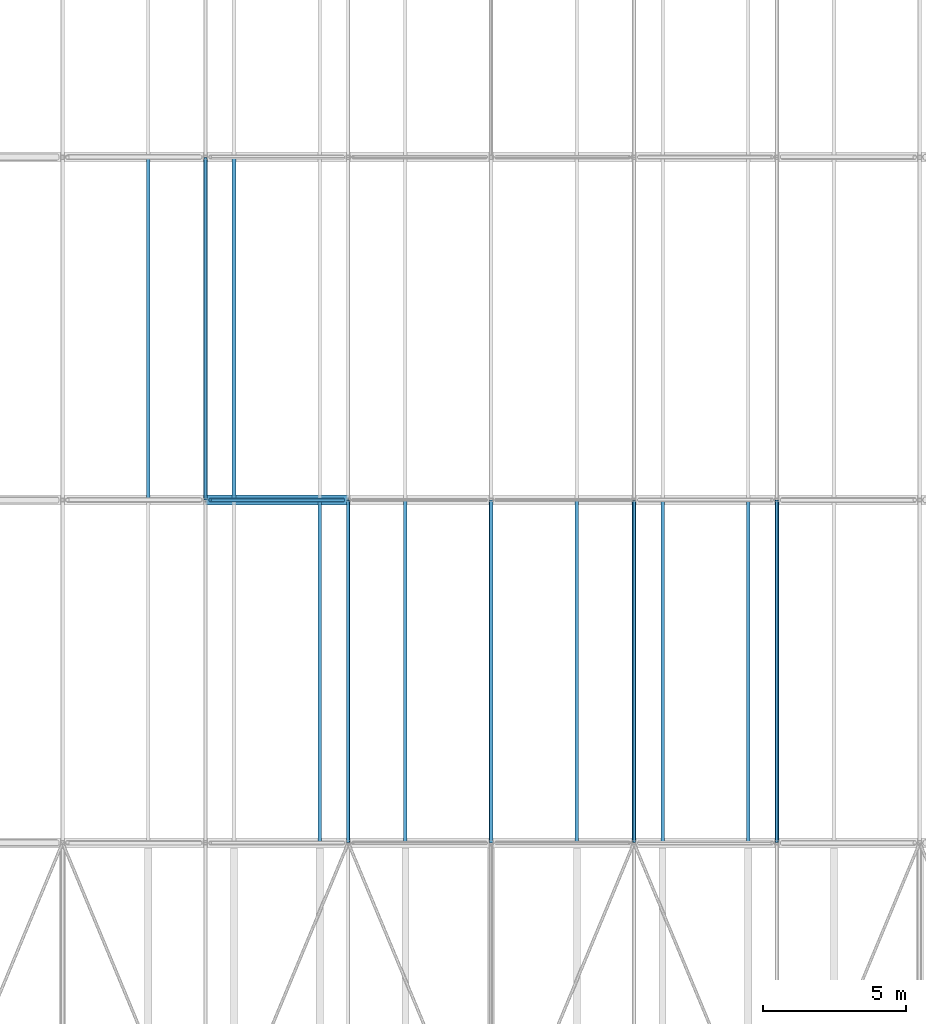
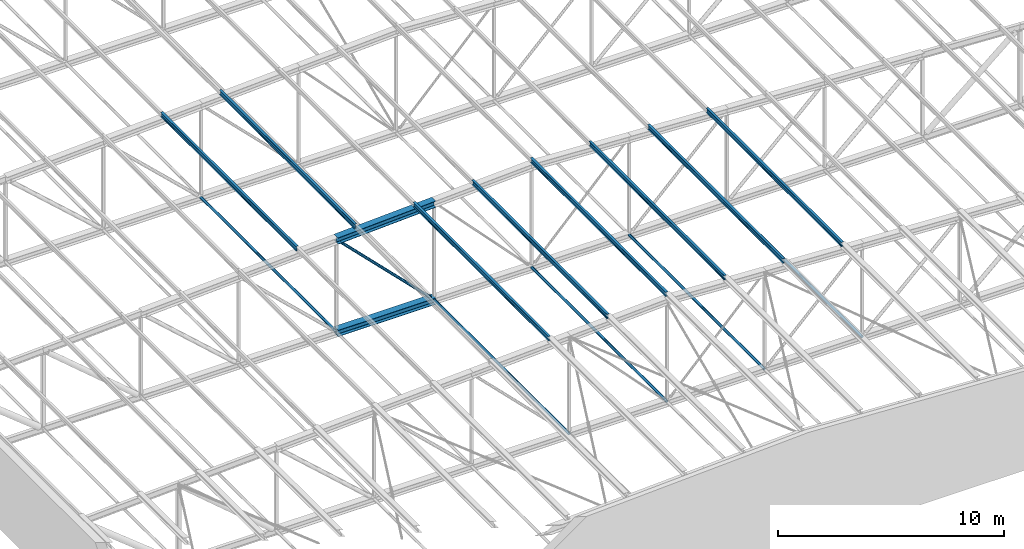
# One storey, part 21 of 156: 16 members.
"""IFC4 building model written with IfcOpenShell, lengths in metres."""

import ifcopenshell
import ifcopenshell.guid

model = None  # the IFC model being written
_history = None  # IfcOwnerHistory: only IFC2X3 demands one
_inside = {}  # id of a spatial element -> (the spatial element, [elements in it])
_under = {}  # id of a project, library or spatial element -> (it, [spatial elements below it])
_declared = {}  # id of a project -> (the project, [libraries it declares])
_typed = {}  # id of a type object -> (the type object, [elements of that type])
_made_of = {}  # id of a material, layer set ... -> (it, [elements and type objects made of it])


def new_model(schema):
    """Start an empty IFC model of exactly this schema.

    Asked for "IFC4X3", IfcOpenShell would pick the latest addendum, in which some entities
    have other attributes; the version numbers below select the first issue.
    IFC2X3 requires an IfcOwnerHistory on every rooted entity: one is made here for all.
    """
    global model, _history
    if schema == "IFC4X3":
        model = ifcopenshell.file(schema_version=(4, 3, 0, 0))
    else:
        model = ifcopenshell.file(schema=schema)
    _inside.clear()
    _under.clear()
    _declared.clear()
    _typed.clear()
    _made_of.clear()
    _history = None
    if model.schema == "IFC2X3":
        org = make("IfcOrganization", Name="unknown")
        user = make(
            "IfcPersonAndOrganization",
            ThePerson=make("IfcPerson", FamilyName="unknown"),
            TheOrganization=org,
        )
        app = make(
            "IfcApplication",
            ApplicationDeveloper=org,
            Version="unknown",
            ApplicationFullName="unknown",
            ApplicationIdentifier="unknown",
        )
        _history = make(
            "IfcOwnerHistory",
            OwningUser=user,
            OwningApplication=app,
            ChangeAction="ADDED",
            CreationDate=0,
        )
    return model


def make(cls, **values):
    """One entity of the class cls with the attributes given. An attribute that is None is left unset."""
    return model.create_entity(
        cls, **{name: value for name, value in values.items() if value is not None}
    )


def rooted(cls, **values):
    """An entity with a GlobalId (a new one), such as an element, a storey or a relation."""
    return make(cls, GlobalId=ifcopenshell.guid.new(), OwnerHistory=_history, **values)


def si_unit(unit_type, name, prefix=None):
    """IfcSIUnit, for example si_unit("LENGTHUNIT", "METRE", prefix="MILLI")."""
    return make("IfcSIUnit", UnitType=unit_type, Prefix=prefix, Name=name)


def assignment(units):
    """IfcUnitAssignment: the units of a project."""
    return None if units is None else make("IfcUnitAssignment", Units=units)


def point(xyz):
    """IfcCartesianPoint."""
    return None if xyz is None else make("IfcCartesianPoint", Coordinates=xyz)


def direction(xyz):
    """IfcDirection."""
    return None if xyz is None else make("IfcDirection", DirectionRatios=xyz)


def frame(location, z_axis=None, x_axis=None):
    """IfcAxis2Placement3D, a coordinate frame: its origin and axes. An axis left out is left unset."""
    return make(
        "IfcAxis2Placement3D",
        Location=point(location),
        Axis=direction(z_axis),
        RefDirection=direction(x_axis),
    )


def frame_2d(location, x_axis=None):
    """IfcAxis2Placement2D, a coordinate frame in the plane: its origin and x axis."""
    return make(
        "IfcAxis2Placement2D", Location=point(location), RefDirection=direction(x_axis)
    )


def origin():
    """The frame at (0, 0, 0) with its axes left unset."""
    return frame((0.0, 0.0, 0.0))


def origin_2d():
    """The frame at (0, 0) in the plane with its x axis left unset."""
    return frame_2d((0.0, 0.0))


def place(relative_to, where):
    """IfcLocalPlacement: puts the frame where relative to a parent placement (None: the world)."""
    return make(
        "IfcLocalPlacement", PlacementRelTo=relative_to, RelativePlacement=where
    )


def context(
    kind, dimensions, precision=None, world=None, true_north=None, identifier=None
):
    """IfcGeometricRepresentationContext, for example the 3D "Model" context."""
    return make(
        "IfcGeometricRepresentationContext",
        ContextIdentifier=identifier,
        ContextType=kind,
        CoordinateSpaceDimension=dimensions,
        Precision=precision,
        WorldCoordinateSystem=world,
        TrueNorth=true_north,
    )


def subcontext(parent, identifier, kind, view, scale=None):
    """IfcGeometricRepresentationSubContext, for example "Body" below "Model"."""
    return make(
        "IfcGeometricRepresentationSubContext",
        ContextIdentifier=identifier,
        ContextType=kind,
        ParentContext=parent,
        TargetScale=scale,
        TargetView=view,
    )


def project(units=None, contexts=None):
    """IfcProject with its units and contexts."""
    return rooted(
        "IfcProject",
        Name="project",
        RepresentationContexts=contexts,
        UnitsInContext=assignment(units),
    )


def spatial(cls, under=None, at=None, **own):
    """A site, building, storey or space (cls), placed at a placement, below another one or the project."""
    s = rooted(cls, ObjectPlacement=at, **own)
    if under is not None:
        _under.setdefault(under.id(), (under, []))[1].append(s)
    return s


def profile(cls, at=None, kind="AREA", **sizes):
    """A parametric profile (cls). Its sizes go by their IFC names, for example OverallWidth=200.0."""
    return make(cls, ProfileType=kind, Position=at, **sizes)


def hollow_circle(**sizes):
    """IfcCircleHollowProfileDef."""
    return profile("IfcCircleHollowProfileDef", **sizes)


def i_section(**sizes):
    """IfcIShapeProfileDef."""
    return profile("IfcIShapeProfileDef", **sizes)


def extrude(swept, where, along, depth):
    """IfcExtrudedAreaSolid: the profile swept, set in the frame where, extruded along a direction by depth."""
    return make(
        "IfcExtrudedAreaSolid",
        SweptArea=swept,
        Position=where,
        ExtrudedDirection=direction(along),
        Depth=depth,
    )


def shape(context_of_items, identifier, shape_type, items):
    """IfcShapeRepresentation: the items that make up one representation, for example the "Body"."""
    return make(
        "IfcShapeRepresentation",
        ContextOfItems=context_of_items,
        RepresentationIdentifier=identifier,
        RepresentationType=shape_type,
        Items=items,
    )


def material(Name=None, Category=None):
    """IfcMaterial."""
    return make("IfcMaterial", Name=Name, Category=Category)


def material_profile(
    of_material, cross_section, Name=None, Category=None, Priority=None
):
    """IfcMaterialProfile: a cross section and its material."""
    return make(
        "IfcMaterialProfile",
        Name=Name,
        Material=of_material,
        Profile=cross_section,
        Priority=Priority,
        Category=Category,
    )


def profile_set(profiles, Name=None, composite=None):
    """IfcMaterialProfileSet."""
    return make(
        "IfcMaterialProfileSet",
        Name=Name,
        MaterialProfiles=profiles,
        CompositeProfile=composite,
    )


def made_of(thing, what):
    """Note that an element or type object is made of a material, layer set ...; save() writes the relation."""
    if what is not None:
        _made_of.setdefault(what.id(), (what, []))[1].append(thing)
    return thing


def type_object(cls, material=None, **own):
    """A type object (cls), such as IfcWallType, which elements share."""
    return made_of(rooted(cls, **own), material)


def element(
    cls,
    number,
    at=None,
    inside=None,
    cuts=None,
    type_object=None,
    material=None,
    context=None,
    identifier="Body",
    shape_type=None,
    held_by="IfcProductDefinitionShape",
    body=None,
    shapes=None,
    **own,
):
    """One element of the class cls, such as IfcWall. Its Tag is "e" and its number.

    at: its placement. inside: the storey or other place that contains it. cuts: it is an
    opening in that element (IfcRelVoidsElement). A single representation is given by context,
    identifier, shape_type and body (its items); several are given by shapes. held_by: the class
    of the entity that holds the representations. save() writes the other relations.
    """
    e = rooted(cls, Tag="e%d" % number, ObjectPlacement=at, **own)
    if body is not None:
        shapes = [shape(context, identifier, shape_type, body)]
    if shapes is not None:
        e.Representation = make(held_by, Representations=shapes)
    if inside is not None:
        _inside.setdefault(inside.id(), (inside, []))[1].append(e)
    if cuts is not None:
        rooted(
            "IfcRelVoidsElement", RelatingBuildingElement=cuts, RelatedOpeningElement=e
        )
    if type_object is not None:
        _typed.setdefault(type_object.id(), (type_object, []))[1].append(e)
    return made_of(e, material)


def aggregate(whole, parts):
    """IfcRelAggregates: a whole, such as a stair, and the parts it consists of."""
    return rooted("IfcRelAggregates", RelatingObject=whole, RelatedObjects=parts)


def save(model, path):
    """Write the relations noted so far, then the file.

    IfcRelAggregates (storeys below a building ...), IfcRelContainedInSpatialStructure (elements
    in a storey), IfcRelDefinesByType, IfcRelAssociatesMaterial and IfcRelDeclares: one each for
    every whole, place, type object, material and project.
    """
    for whole, parts in _under.values():
        aggregate(whole, parts)
    for where, things in _inside.values():
        rooted(
            "IfcRelContainedInSpatialStructure",
            RelatedElements=things,
            RelatingStructure=where,
        )
    for kind, things in _typed.values():
        rooted("IfcRelDefinesByType", RelatedObjects=things, RelatingType=kind)
    for what, things in _made_of.values():
        rooted("IfcRelAssociatesMaterial", RelatedObjects=things, RelatingMaterial=what)
    for by, libraries in _declared.values():
        rooted("IfcRelDeclares", RelatingContext=by, RelatedDefinitions=libraries)
    model.write(path)


model = new_model("IFC4")

# Units and contexts
model_context = context("Model", 3, precision=1e-05, world=origin(), true_north=direction((0.0, 1.0)))
body_context = subcontext(model_context, "Body", "Model", "MODEL_VIEW")
ifc_project = project(units=[si_unit("LENGTHUNIT", "METRE"), si_unit("AREAUNIT", "SQUARE_METRE"), si_unit("VOLUMEUNIT", "CUBIC_METRE"), si_unit("PLANEANGLEUNIT", "RADIAN"), si_unit("MASSUNIT", "GRAM", prefix="KILO")], contexts=[model_context])

# Site, building, storey
site_placement = place(None, origin())
site = spatial("IfcSite", under=ifc_project, at=site_placement, CompositionType="ELEMENT")
building_placement = place(site_placement, origin())
building = spatial("IfcBuilding", under=site, at=building_placement, Name="Lilac Gate Convention Centre", CompositionType="ELEMENT")
storey_placement = place(building_placement, frame((0.0, 0.0, 17.0)))
storey = spatial("IfcBuildingStorey", under=building, at=storey_placement, Name="L03", CompositionType="ELEMENT", Elevation=17.0)

# Members
ifc_material = material(Name="Steel Q355B", Category="steel")
ifc_material_profile_1 = material_profile(ifc_material, hollow_circle(Radius=0.06982421875, WallThickness=0.0048828125, at=origin_2d()), Name="CHS139.7x5")
ifc_profile_set_1 = profile_set([ifc_material_profile_1], Name="Steel Q355B")
member_type_1 = type_object("IfcMemberType", Name="Bottom chord tie CHS139.7x5", PredefinedType="STRUT", material=ifc_profile_set_1)
for number, where, z_axis, x_axis, name in (
    (1, (55.0, 42.009521484375, 0.0), (0.0, 1.0, 0.0), (-1.0, 0.0, 0.0), "ST1 tie bay 2 node 6"),
    (2, (60.0, 42.009521484375, 0.0), (0.0, 1.0, 0.0), (-1.0, 0.0, 0.0), "ST1 tie bay 2 node 7"),
    (3, (65.0, 42.009521484375, 0.0), (0.0, 1.0, 0.0), (-1.0, 0.0, 0.0), "ST1 tie bay 2 node 8"),
):
    element("IfcMember", number, at=place(storey_placement, frame(where, z_axis=z_axis, x_axis=x_axis)), inside=storey, type_object=member_type_1, Name=name, PredefinedType="STRUT", context=body_context, shape_type="SweptSolid", body=[
        extrude(hollow_circle(Radius=0.06982421875, WallThickness=0.0048828125, at=origin_2d()), origin(), (0.0, 0.0, 1.0), 11.98095703125),
    ])
for number, where, z_axis, x_axis, name in (
    (4, (70.0, 42.006103515625, 0.0), (0.0, 1.0, 0.0), (-1.0, 0.0, 0.0), "ST1 tie bay 2 node 9"),
    (5, (50.0, 54.006103515625, 0.0), (0.0, 1.0, 0.0), (-1.0, 0.0, 0.0), "ST1 tie bay 3 node 5"),
):
    element("IfcMember", number, at=place(storey_placement, frame(where, z_axis=z_axis, x_axis=x_axis)), inside=storey, type_object=member_type_1, Name=name, PredefinedType="STRUT", context=body_context, shape_type="SweptSolid", body=[
        extrude(hollow_circle(Radius=0.06982421875, WallThickness=0.0048828125, at=origin_2d()), origin(), (0.0, 0.0, 1.0), 11.98779296875),
    ])
ifc_material_profile_2 = material_profile(ifc_material, i_section(OverallWidth=0.125, OverallDepth=0.25, WebThickness=0.006103515625, FlangeThickness=0.009033203125, FilletRadius=0.008056640625, at=origin_2d()), Name="HN250x125x6x9")
ifc_profile_set_2 = profile_set([ifc_material_profile_2], Name="Steel Q355B")
member_type_2 = type_object("IfcMemberType", Name="Roof purlin HN250x125x6x9", PredefinedType="PURLIN", material=ifc_profile_set_2)
for number, where, z_axis, x_axis, name in (
    (6, (54.0, 42.0, 5.500244140625), (0.0, 1.0, 0.0), (-1.0, 0.0, 0.0), "PU2 purlin bay 2 line 9"),
    (7, (57.0, 42.0, 5.650146484375), (0.0, 1.0, 0.0), (-1.0, 0.0, 0.0), "PU2 purlin bay 2 line 10"),
    (8, (60.0, 42.0, 5.80029296875), (0.0, 1.0, 0.0), (-1.0, 0.0, 0.0), "PU2 purlin bay 2 line 11"),
    (9, (63.0, 42.0, 5.650146484375), (0.0, 1.0, 0.0), (-1.0, 0.0, 0.0), "PU2 purlin bay 2 line 12"),
    (10, (66.0, 42.0, 5.500244140625), (0.0, 1.0, 0.0), (-1.0, 0.0, 0.0), "PU2 purlin bay 2 line 13"),
    (11, (69.0, 42.0, 5.35009765625), (0.0, 1.0, 0.0), (-1.0, 0.0, 0.0), "PU2 purlin bay 2 line 14"),
    (12, (48.0, 54.0, 5.2001953125), (0.0, 1.0, 0.0), (-1.0, 0.0, 0.0), "PU2 purlin bay 3 line 7"),
    (13, (51.0, 54.0, 5.35009765625), (0.0, 1.0, 0.0), (-1.0, 0.0, 0.0), "PU2 purlin bay 3 line 8"),
):
    element("IfcMember", number, at=place(storey_placement, frame(where, z_axis=z_axis, x_axis=x_axis)), inside=storey, type_object=member_type_2, Name=name, PredefinedType="PURLIN", context=body_context, shape_type="SweptSolid", body=[
        extrude(i_section(OverallWidth=0.125, OverallDepth=0.25, WebThickness=0.006103515625, FlangeThickness=0.009033203125, FilletRadius=0.008056640625, at=origin_2d()), origin(), (0.0, 0.0, 1.0), 12.0),
    ])
ifc_material_profile_3 = material_profile(ifc_material, i_section(OverallWidth=0.35693359375, OverallDepth=0.35009765625, WebThickness=0.01904296875, FlangeThickness=0.01904296875, FilletRadius=0.012939453125, at=origin_2d()), Name="HW350x357x19x19")
ifc_profile_set_3 = profile_set([ifc_material_profile_3], Name="Steel Q355B")
member_type_3 = type_object("IfcMemberType", Name="Truss bottom chord HW350x357x19x19", PredefinedType="CHORD", material=ifc_profile_set_3)
member_1_placement = place(storey_placement, frame((50.0, 54.0, 0.0), z_axis=(1.0, 0.0, 0.0), x_axis=(0.0, 1.0, 0.0)))
element("IfcMember", 14, at=member_1_placement, inside=storey, type_object=member_type_3, Name="TB3 truss 3 bottom chord 5", PredefinedType="CHORD", context=body_context, shape_type="SweptSolid", body=[
    extrude(i_section(OverallWidth=0.35693359375, OverallDepth=0.35009765625, WebThickness=0.01904296875, FlangeThickness=0.01904296875, FilletRadius=0.012939453125, at=origin_2d()), origin(), (0.0, 0.0, 1.0), 5.0),
])
ifc_material_profile_4 = material_profile(ifc_material, hollow_circle(Radius=0.06982421875, WallThickness=0.006103515625, at=origin_2d()), Name="CHS139.7x6")
ifc_profile_set_4 = profile_set([ifc_material_profile_4], Name="Steel Q355B")
member_type_4 = type_object("IfcMemberType", Name="Truss diagonal CHS139.7x6", PredefinedType="BRACE", material=ifc_profile_set_4)
member_2_placement = place(storey_placement, frame((50.164306640625, 54.0, 4.835693359375), z_axis=(0.707106781187, 0.0, -0.707106781187), x_axis=(0.0, 1.0, 0.0)))
element("IfcMember", 15, at=member_2_placement, inside=storey, type_object=member_type_4, Name="TW5 truss 3 diagonal 5", PredefinedType="BRACE", context=body_context, shape_type="SweptSolid", body=[
    extrude(hollow_circle(Radius=0.06982421875, WallThickness=0.006103515625, at=origin_2d()), origin(), (0.0, 0.0, 1.0), 6.591064453125),
])
ifc_material_profile_5 = material_profile(ifc_material, i_section(OverallWidth=0.35009765625, OverallDepth=0.35009765625, WebThickness=0.011962890625, FlangeThickness=0.01904296875, FilletRadius=0.012939453125, at=origin_2d()), Name="HW350x350x12x19")
ifc_profile_set_5 = profile_set([ifc_material_profile_5], Name="Steel Q355B")
member_type_5 = type_object("IfcMemberType", Name="Truss top chord HW350x350x12x19", PredefinedType="CHORD", material=ifc_profile_set_5)
member_3_placement = place(storey_placement, frame((50.0, 54.0, 5.0), z_axis=(0.998752338878, 0.0, 0.049937616944), x_axis=(0.0, 1.0, 0.0)))
element("IfcMember", 16, at=member_3_placement, inside=storey, type_object=member_type_5, Name="TT2 truss 3 top chord 5", PredefinedType="CHORD", context=body_context, shape_type="SweptSolid", body=[
    extrude(i_section(OverallWidth=0.35009765625, OverallDepth=0.35009765625, WebThickness=0.011962890625, FlangeThickness=0.01904296875, FilletRadius=0.012939453125, at=origin_2d()), origin(), (0.0, 0.0, 1.0), 5.00634765625),
])

save(model, "model.ifc")
